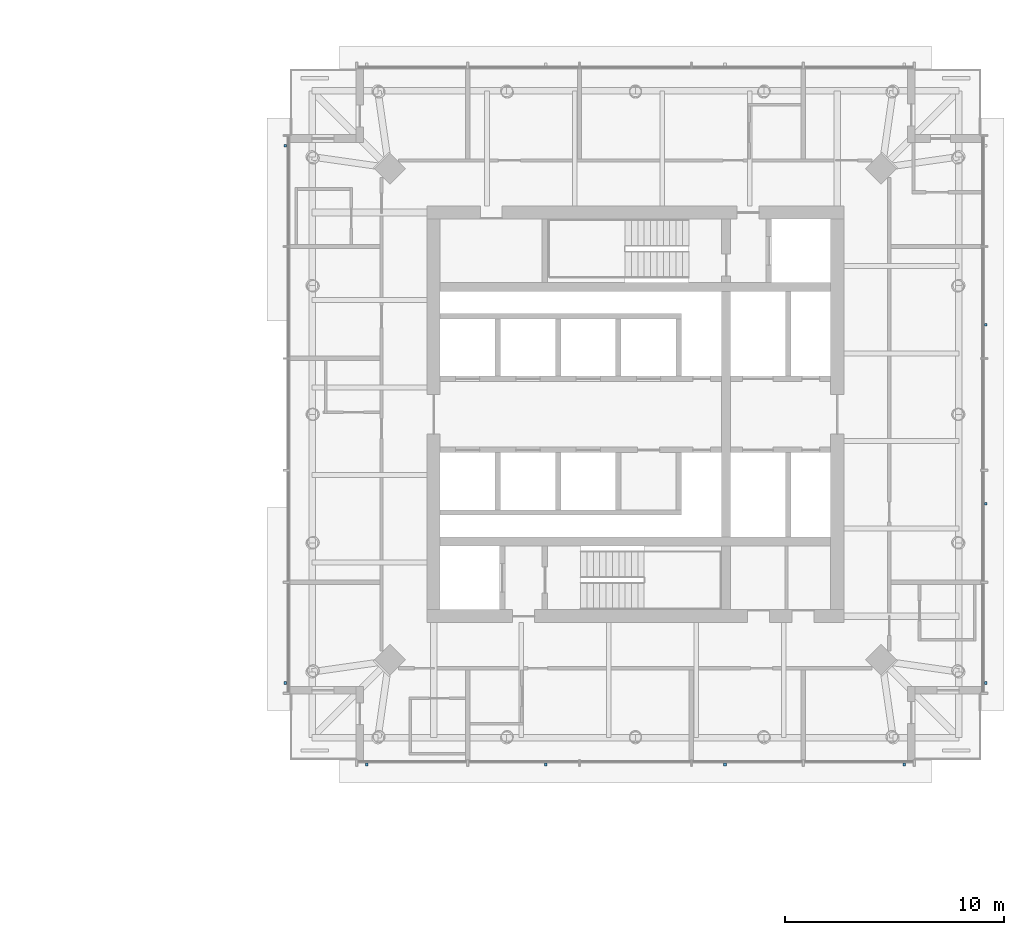
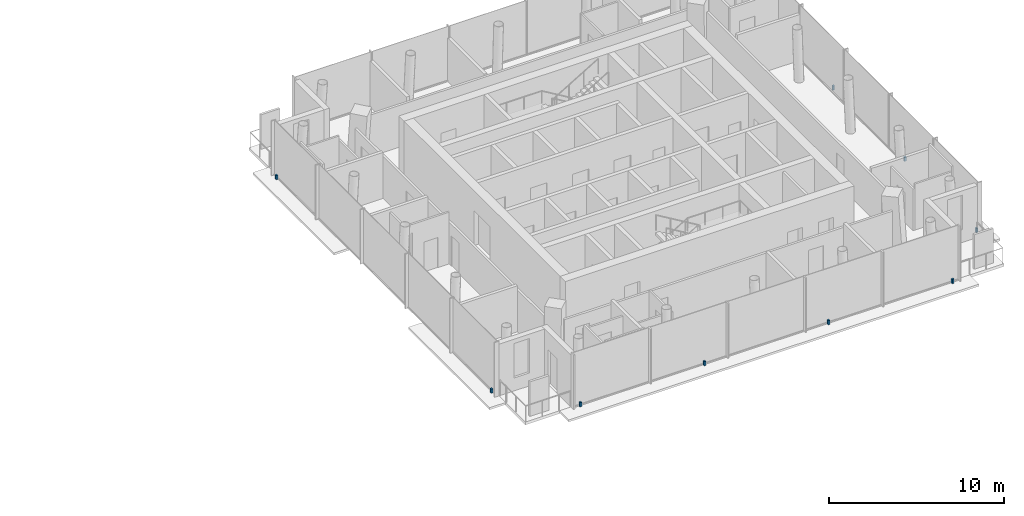
# One storey, part 16 of 19: 9 discrete accessories.
"""IFC4 building model written with IfcOpenShell, lengths in metres."""

from ifc_helpers import new_model, si_unit, direction, frame, origin, origin_2d, place, context, subcontext, project, spatial, rectangle, extrude, material, type_object, element, save


model = new_model("IFC4")

# Units and contexts
model_context = context("Model", 3, precision=1e-05, world=origin(), true_north=direction((0.0, 1.0)))
body_context = subcontext(model_context, "Body", "Model", "MODEL_VIEW")
ifc_project = project(units=[si_unit("LENGTHUNIT", "METRE"), si_unit("AREAUNIT", "SQUARE_METRE"), si_unit("VOLUMEUNIT", "CUBIC_METRE"), si_unit("PLANEANGLEUNIT", "RADIAN"), si_unit("MASSUNIT", "GRAM", prefix="KILO")], contexts=[model_context])

# Site, building, storey
site_placement = place(None, origin())
site = spatial("IfcSite", under=ifc_project, at=site_placement, CompositionType="ELEMENT")
building_placement = place(site_placement, origin())
building = spatial("IfcBuilding", under=site, at=building_placement, Name="Ostroluk Exchange", CompositionType="ELEMENT")
storey_placement = place(building_placement, frame((0.0, 0.0, 119.800048828125)))
storey = spatial("IfcBuildingStorey", under=building, at=storey_placement, Name="L30", CompositionType="ELEMENT", Elevation=119.800048828125)

# Discrete accessories
ifc_material = material(Name="Stainless steel", Category="steel")
discrete_accessory_type = type_object("IfcDiscreteAccessoryType", Name="Fall-arrest anchor PN-EN 795 type C", PredefinedType="USERDEFINED", material=ifc_material)
for number, where, z_axis, x_axis, name in (
    (1, (104.75, 30.0400390625, 0.0), (0.0, 0.0, 1.0), (1.0, 0.0, 0.0), "Fall-arrest anchor L30 south 1"),
    (2, (112.916748046875, 30.0400390625, 0.0), (0.0, 0.0, 1.0), (1.0, 0.0, 0.0), "Fall-arrest anchor L30 south 2"),
    (3, (121.083251953125, 30.0400390625, 0.0), (0.0, 0.0, 1.0), (1.0, 0.0, 0.0), "Fall-arrest anchor L30 south 3"),
    (4, (129.25, 30.0400390625, 0.0), (0.0, 0.0, 1.0), (1.0, 0.0, 0.0), "Fall-arrest anchor L30 south 4"),
    (5, (132.9599609375, 33.75, 0.0), (0.0, 0.0, 1.0), (1.0, 0.0, 0.0), "Fall-arrest anchor L30 east 1"),
    (6, (132.9599609375, 41.916748046875, 0.0), (0.0, 0.0, 1.0), (1.0, 0.0, 0.0), "Fall-arrest anchor L30 east 2"),
    (7, (132.9599609375, 50.083251953125, 0.0), (0.0, 0.0, 1.0), (1.0, 0.0, 0.0), "Fall-arrest anchor L30 east 3"),
    (8, (101.0400390625, 33.75, 0.0), (0.0, 0.0, 1.0), (1.0, 0.0, 0.0), "Fall-arrest anchor L30 west 1"),
    (9, (101.0400390625, 58.25, 0.0), (0.0, 0.0, 1.0), (1.0, 0.0, 0.0), "Fall-arrest anchor L30 west 4"),
):
    element("IfcDiscreteAccessory", number, at=place(storey_placement, frame(where, z_axis=z_axis, x_axis=x_axis)), inside=storey, type_object=discrete_accessory_type, Name=name, ObjectType="FALL ARREST ANCHOR", PredefinedType="USERDEFINED", context=body_context, shape_type="SweptSolid", body=[
        extrude(rectangle(XDim=0.1201171875, YDim=0.1201171875, at=origin_2d()), origin(), (0.0, 0.0, 1.0), 0.300048828125),
    ])

save(model, "model.ifc")
